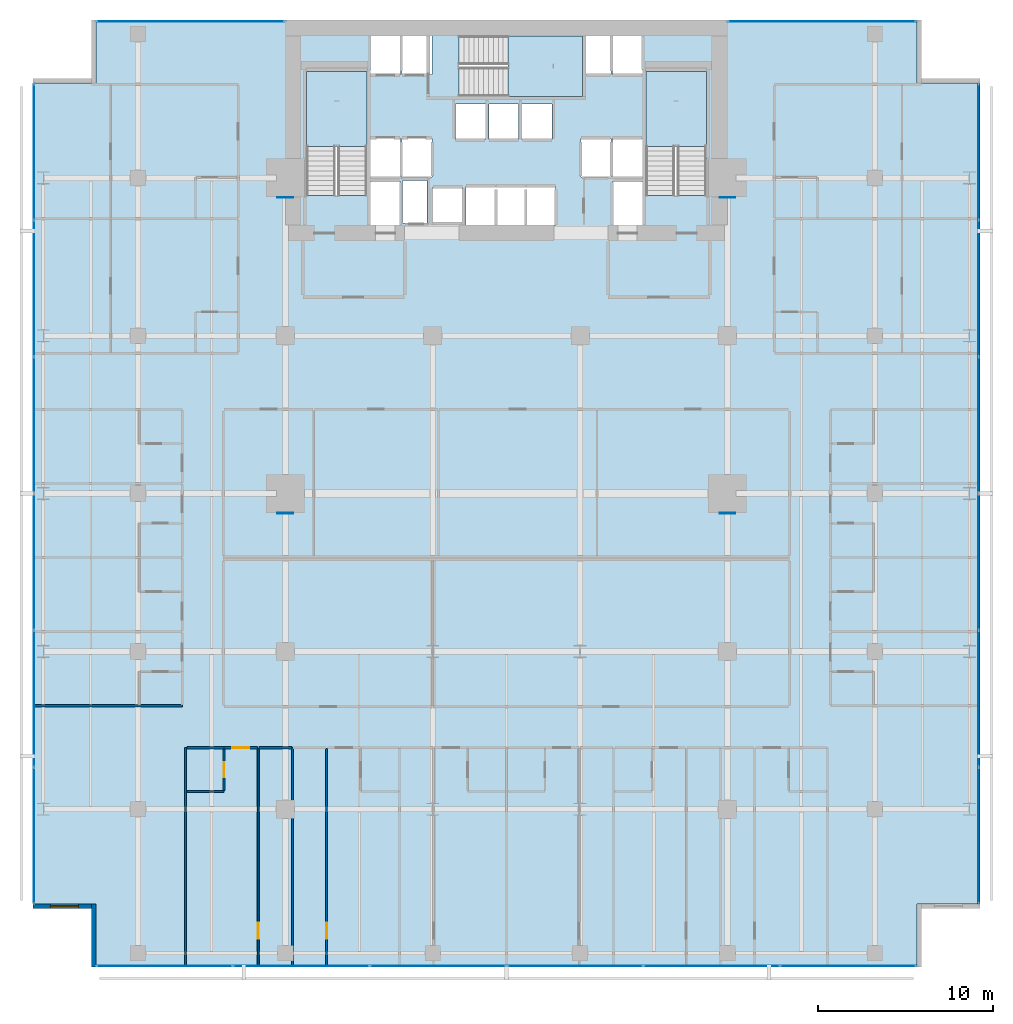
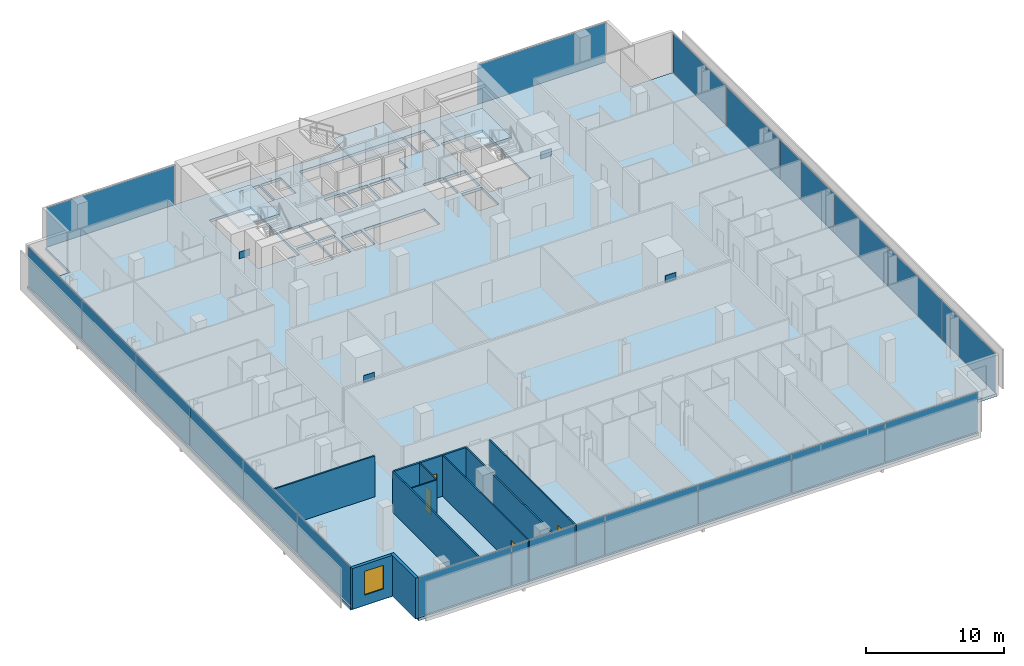
# One storey, part 32 of 40: 24 plates, 12 walls, 4 doors, 4 slabs, 1 window, 5 openings, 8 elements without a shape of their own.
"""IFC4 building model written with IfcOpenShell, lengths in metres."""

from ifc_helpers import new_model, si_unit, direction, frame, frame_2d, origin, origin_2d, place, context, subcontext, project, spatial, polyline, rectangle, outline, extrude, material, layer, layer_set, type_object, element, fill, aggregate, save


model = new_model("IFC4")

# Units and contexts
model_context = context("Model", 3, precision=1e-05, world=origin(), true_north=direction((0.0, 1.0)))
body_context = subcontext(model_context, "Body", "Model", "MODEL_VIEW")
ifc_project = project(units=[si_unit("LENGTHUNIT", "METRE"), si_unit("AREAUNIT", "SQUARE_METRE"), si_unit("VOLUMEUNIT", "CUBIC_METRE"), si_unit("PLANEANGLEUNIT", "RADIAN"), si_unit("MASSUNIT", "GRAM", prefix="KILO")], contexts=[model_context])

# Site, building, storey
site_placement = place(None, origin())
site = spatial("IfcSite", under=ifc_project, at=site_placement, CompositionType="ELEMENT")
building_placement = place(site_placement, origin())
building = spatial("IfcBuilding", under=site, at=building_placement, Name="Maruvema Waterfront Hotel and Observation Tower", CompositionType="ELEMENT")
storey_placement = place(building_placement, frame((0.0, 0.0, 34.64990234375)))
storey = spatial("IfcBuildingStorey", under=building, at=storey_placement, Name="L07", CompositionType="ELEMENT", Elevation=34.64990234375)

# Slab
ifc_material_1 = material(Name="Concrete C50/60", Category="concrete")
ifc_layer_1 = layer(ifc_material_1, 0.239990234375, Name="Reinforced Concrete Floor Slab 240 mm")
ifc_layer_set_1 = layer_set([ifc_layer_1], Name="Concrete C50/60")
slab_type_1 = type_object("IfcSlabType", Name="Reinforced Concrete Floor Slab 240 mm", PredefinedType="FLOOR", material=ifc_layer_set_1)
slab_1_placement = place(storey_placement, frame((0.0, 0.0, -0.239990234375)))
element("IfcSlab", 1, at=slab_1_placement, inside=storey, type_object=slab_type_1, Name="L07 Structural Floor Slab", PredefinedType="FLOOR", context=body_context, shape_type="SweptSolid", body=[
    extrude(outline(polyline([(14.39990234375, 0.0), (61.199951171875, 0.0), (61.199951171875, 3.60009765625), (64.800048828125, 3.60009765625), (64.800048828125, 50.39990234375), (61.199951171875, 50.39990234375), (61.199951171875, 54.0), (14.39990234375, 54.0), (14.39990234375, 50.39990234375), (10.800048828125, 50.39990234375), (10.800048828125, 3.60009765625), (14.39990234375, 3.60009765625), (14.39990234375, 0.0)]), holes=[polyline([(26.39990234375, 44.00048828125), (26.39990234375, 51.050048828125), (29.85009765625, 51.050048828125), (29.85009765625, 44.00048828125), (26.39990234375, 44.00048828125)]), polyline([(30.050048828125, 44.800048828125), (31.75, 44.800048828125), (31.75, 42.320068359375), (30.050048828125, 42.320068359375), (30.050048828125, 44.800048828125)]), polyline([(31.75, 47.25), (31.75, 45.050048828125), (30.050048828125, 45.050048828125), (30.050048828125, 47.25), (31.75, 47.25)]), polyline([(31.75, 53.10009765625), (31.75, 50.89990234375), (30.050048828125, 50.89990234375), (30.050048828125, 53.10009765625), (31.75, 53.10009765625)]), polyline([(33.280029296875, 44.860107421875), (33.280029296875, 42.43994140625), (31.8798828125, 42.43994140625), (31.8798828125, 44.860107421875), (33.280029296875, 44.860107421875)]), polyline([(31.85009765625, 47.25), (33.550048828125, 47.25), (33.550048828125, 45.050048828125), (31.85009765625, 45.050048828125), (31.85009765625, 47.25)]), polyline([(31.85009765625, 53.10009765625), (33.550048828125, 53.10009765625), (33.550048828125, 50.89990234375), (31.85009765625, 50.89990234375), (31.85009765625, 53.10009765625)]), polyline([(33.60009765625, 44.449951171875), (35.300048828125, 44.449951171875), (35.300048828125, 42.449951171875), (33.60009765625, 42.449951171875), (33.60009765625, 44.449951171875)]), polyline([(34.89990234375, 49.199951171875), (36.60009765625, 49.199951171875), (36.60009765625, 47.199951171875), (34.89990234375, 47.199951171875), (34.89990234375, 49.199951171875)]), polyline([(38.5, 49.199951171875), (38.5, 47.199951171875), (36.800048828125, 47.199951171875), (36.800048828125, 49.199951171875), (38.5, 49.199951171875)]), polyline([(35.5, 44.5), (40.60009765625, 44.5), (40.60009765625, 42.300048828125), (35.5, 42.300048828125), (35.5, 44.5)]), polyline([(43.75, 50.89990234375), (42.14990234375, 50.89990234375), (42.14990234375, 49.64990234375), (35.1005859375, 49.64990234375), (35.1005859375, 53.10009765625), (43.75, 53.10009765625), (43.75, 50.89990234375)]), polyline([(40.39990234375, 49.199951171875), (40.39990234375, 47.199951171875), (38.699951171875, 47.199951171875), (38.699951171875, 49.199951171875), (40.39990234375, 49.199951171875)]), polyline([(43.75, 47.25), (43.75, 45.050048828125), (42.050048828125, 45.050048828125), (42.050048828125, 47.25), (43.75, 47.25)]), polyline([(45.550048828125, 44.800048828125), (45.550048828125, 42.320068359375), (43.85009765625, 42.320068359375), (43.85009765625, 44.800048828125), (45.550048828125, 44.800048828125)]), polyline([(43.85009765625, 47.25), (45.550048828125, 47.25), (45.550048828125, 45.050048828125), (43.85009765625, 45.050048828125), (43.85009765625, 47.25)]), polyline([(45.550048828125, 53.10009765625), (45.550048828125, 50.89990234375), (43.85009765625, 50.89990234375), (43.85009765625, 53.10009765625), (45.550048828125, 53.10009765625)]), polyline([(45.75, 51.050048828125), (49.199951171875, 51.050048828125), (49.199951171875, 44.00048828125), (45.75, 44.00048828125), (45.75, 51.050048828125)])]), origin(), (0.0, 0.0, 1.0), 0.239990234375),
])

# Curtain wall, plates
ifc_material_2 = material(Name="Anodised bronze aluminium and solar-control low-E IGU", Category="aluminium")
ifc_layer_2 = layer(ifc_material_2, 0.159912109375, Name="Zone 1 Bronze Inner Thermal Curtain Wall System CW-02")
ifc_layer_set_2 = layer_set([ifc_layer_2], Name="Anodised bronze aluminium and solar-control low-E IGU")
curtain_wall_type = type_object("IfcCurtainWallType", Name="Zone 1 Bronze Inner Thermal Curtain Wall System CW-02", PredefinedType="USERDEFINED", material=ifc_layer_set_2)
curtain_wall_1_placement = place(storey_placement, origin())
curtain_wall_1 = element("IfcCurtainWall", 2, at=curtain_wall_1_placement, inside=storey, type_object=curtain_wall_type, Name="L07 Curtain Wall CW-L07-S", ObjectType="UNITISED CURTAIN WALL", PredefinedType="USERDEFINED")
ifc_material_3 = material(Name="Laminated low-E solar-control double glazing", Category="glass")
ifc_layer_3 = layer(ifc_material_3, 0.035888671875, Name="Solar Control Double-Glazed Curtain Panel 36 mm")
ifc_layer_set_3 = layer_set([ifc_layer_3], Name="Laminated low-E solar-control double glazing")
plate_type_1 = type_object("IfcPlateType", Name="Solar Control Double-Glazed Curtain Panel 36 mm", PredefinedType="CURTAIN_PANEL", material=ifc_layer_set_3)
plate_1_placement = place(storey_placement, frame((18.31494140625, 0.080078125, 0.06005859375), z_axis=(0.0, 0.0, 1.0), x_axis=(1.0, 0.0, 0.0)))
plate_1 = element("IfcPlate", 3, at=plate_1_placement, type_object=plate_type_1, Name="CW-02 panel 1.1", PredefinedType="CURTAIN_PANEL", context=body_context, shape_type="SweptSolid", body=[
    extrude(rectangle(XDim=7.7099609375, YDim=0.028076171875, at=origin_2d()), origin(), (0.0, 0.0, 1.0), 3.489990234375),
])
plate_2_placement = place(storey_placement, frame((26.10009765625, 0.080078125, 0.06005859375), z_axis=(0.0, 0.0, 1.0), x_axis=(1.0, 0.0, 0.0)))
plate_2 = element("IfcPlate", 4, at=plate_2_placement, type_object=plate_type_1, Name="CW-02 panel 2.1", PredefinedType="CURTAIN_PANEL", context=body_context, shape_type="SweptSolid", body=[
    extrude(rectangle(XDim=7.739990234375, YDim=0.028076171875, at=origin_2d()), origin(), (0.0, 0.0, 1.0), 3.489990234375),
])
plate_3_placement = place(storey_placement, frame((33.89990234375, 0.080078125, 0.06005859375), z_axis=(0.0, 0.0, 1.0), x_axis=(1.0, 0.0, 0.0)))
plate_3 = element("IfcPlate", 5, at=plate_3_placement, type_object=plate_type_1, Name="CW-02 panel 3.1", PredefinedType="CURTAIN_PANEL", context=body_context, shape_type="SweptSolid", body=[
    extrude(rectangle(XDim=7.739990234375, YDim=0.028076171875, at=origin_2d()), origin(), (0.0, 0.0, 1.0), 3.489990234375),
])
plate_4_placement = place(storey_placement, frame((41.699951171875, 0.080078125, 0.06005859375), z_axis=(0.0, 0.0, 1.0), x_axis=(1.0, 0.0, 0.0)))
plate_4 = element("IfcPlate", 6, at=plate_4_placement, type_object=plate_type_1, Name="CW-02 panel 4.1", PredefinedType="CURTAIN_PANEL", context=body_context, shape_type="SweptSolid", body=[
    extrude(rectangle(XDim=7.739990234375, YDim=0.028076171875, at=origin_2d()), origin(), (0.0, 0.0, 1.0), 3.489990234375),
])
plate_5_placement = place(storey_placement, frame((49.5, 0.080078125, 0.06005859375), z_axis=(0.0, 0.0, 1.0), x_axis=(1.0, 0.0, 0.0)))
plate_5 = element("IfcPlate", 7, at=plate_5_placement, type_object=plate_type_1, Name="CW-02 panel 5.1", PredefinedType="CURTAIN_PANEL", context=body_context, shape_type="SweptSolid", body=[
    extrude(rectangle(XDim=7.739990234375, YDim=0.028076171875, at=origin_2d()), origin(), (0.0, 0.0, 1.0), 3.489990234375),
])
plate_6_placement = place(storey_placement, frame((57.284912109375, 0.080078125, 0.06005859375), z_axis=(0.0, 0.0, 1.0), x_axis=(1.0, 0.0, 0.0)))
plate_6 = element("IfcPlate", 8, at=plate_6_placement, type_object=plate_type_1, Name="CW-02 panel 6.1", PredefinedType="CURTAIN_PANEL", context=body_context, shape_type="SweptSolid", body=[
    extrude(rectangle(XDim=7.7099609375, YDim=0.028076171875, at=origin_2d()), origin(), (0.0, 0.0, 1.0), 3.489990234375),
])
aggregate(curtain_wall_1, [plate_1, plate_2, plate_3, plate_4, plate_5, plate_6])

curtain_wall_2_placement = place(storey_placement, origin())
curtain_wall_2 = element("IfcCurtainWall", 9, at=curtain_wall_2_placement, inside=storey, type_object=curtain_wall_type, Name="L07 Curtain Wall CW-L07-E", ObjectType="UNITISED CURTAIN WALL", PredefinedType="USERDEFINED")
plate_7_placement = place(storey_placement, frame((64.719970703125, 7.514892578125, 0.06005859375), z_axis=(0.0, 0.0, 1.0), x_axis=(0.0, 1.0, 0.0)))
plate_7 = element("IfcPlate", 10, at=plate_7_placement, type_object=plate_type_1, Name="CW-02 panel 1.1", PredefinedType="CURTAIN_PANEL", context=body_context, shape_type="SweptSolid", body=[
    extrude(rectangle(XDim=7.7099609375, YDim=0.028076171875, at=origin_2d()), origin(), (0.0, 0.0, 1.0), 3.489990234375),
])
plate_8_placement = place(storey_placement, frame((64.719970703125, 15.300048828125, 0.06005859375), z_axis=(0.0, 0.0, 1.0), x_axis=(0.0, 1.0, 0.0)))
plate_8 = element("IfcPlate", 11, at=plate_8_placement, type_object=plate_type_1, Name="CW-02 panel 2.1", PredefinedType="CURTAIN_PANEL", context=body_context, shape_type="SweptSolid", body=[
    extrude(rectangle(XDim=7.739990234375, YDim=0.028076171875, at=origin_2d()), origin(), (0.0, 0.0, 1.0), 3.489990234375),
])
plate_9_placement = place(storey_placement, frame((64.719970703125, 23.10009765625, 0.06005859375), z_axis=(0.0, 0.0, 1.0), x_axis=(0.0, 1.0, 0.0)))
plate_9 = element("IfcPlate", 12, at=plate_9_placement, type_object=plate_type_1, Name="CW-02 panel 3.1", PredefinedType="CURTAIN_PANEL", context=body_context, shape_type="SweptSolid", body=[
    extrude(rectangle(XDim=7.739990234375, YDim=0.028076171875, at=origin_2d()), origin(), (0.0, 0.0, 1.0), 3.489990234375),
])
plate_10_placement = place(storey_placement, frame((64.719970703125, 30.89990234375, 0.06005859375), z_axis=(0.0, 0.0, 1.0), x_axis=(0.0, 1.0, 0.0)))
plate_10 = element("IfcPlate", 13, at=plate_10_placement, type_object=plate_type_1, Name="CW-02 panel 4.1", PredefinedType="CURTAIN_PANEL", context=body_context, shape_type="SweptSolid", body=[
    extrude(rectangle(XDim=7.739990234375, YDim=0.028076171875, at=origin_2d()), origin(), (0.0, 0.0, 1.0), 3.489990234375),
])
plate_11_placement = place(storey_placement, frame((64.719970703125, 38.699951171875, 0.06005859375), z_axis=(0.0, 0.0, 1.0), x_axis=(0.0, 1.0, 0.0)))
plate_11 = element("IfcPlate", 14, at=plate_11_placement, type_object=plate_type_1, Name="CW-02 panel 5.1", PredefinedType="CURTAIN_PANEL", context=body_context, shape_type="SweptSolid", body=[
    extrude(rectangle(XDim=7.739990234375, YDim=0.028076171875, at=origin_2d()), origin(), (0.0, 0.0, 1.0), 3.489990234375),
])
plate_12_placement = place(storey_placement, frame((64.719970703125, 46.485107421875, 0.06005859375), z_axis=(0.0, 0.0, 1.0), x_axis=(0.0, 1.0, 0.0)))
plate_12 = element("IfcPlate", 15, at=plate_12_placement, type_object=plate_type_1, Name="CW-02 panel 6.1", PredefinedType="CURTAIN_PANEL", context=body_context, shape_type="SweptSolid", body=[
    extrude(rectangle(XDim=7.7099609375, YDim=0.028076171875, at=origin_2d()), origin(), (0.0, 0.0, 1.0), 3.489990234375),
])
aggregate(curtain_wall_2, [plate_7, plate_8, plate_9, plate_10, plate_11, plate_12])

curtain_wall_3_placement = place(storey_placement, origin())
curtain_wall_3 = element("IfcCurtainWall", 16, at=curtain_wall_3_placement, inside=storey, type_object=curtain_wall_type, Name="L07 Curtain Wall CW-L07-W", ObjectType="UNITISED CURTAIN WALL", PredefinedType="USERDEFINED")
plate_13_placement = place(storey_placement, frame((10.8798828125, 46.485107421875, 0.06005859375), z_axis=(0.0, 0.0, 1.0), x_axis=(0.0, -1.0, 0.0)))
plate_13 = element("IfcPlate", 17, at=plate_13_placement, type_object=plate_type_1, Name="CW-02 panel 1.1", PredefinedType="CURTAIN_PANEL", context=body_context, shape_type="SweptSolid", body=[
    extrude(rectangle(XDim=7.7099609375, YDim=0.028076171875, at=origin_2d()), origin(), (0.0, 0.0, 1.0), 3.489990234375),
])
plate_14_placement = place(storey_placement, frame((10.8798828125, 38.699951171875, 0.06005859375), z_axis=(0.0, 0.0, 1.0), x_axis=(0.0, -1.0, 0.0)))
plate_14 = element("IfcPlate", 18, at=plate_14_placement, type_object=plate_type_1, Name="CW-02 panel 2.1", PredefinedType="CURTAIN_PANEL", context=body_context, shape_type="SweptSolid", body=[
    extrude(rectangle(XDim=7.739990234375, YDim=0.028076171875, at=origin_2d()), origin(), (0.0, 0.0, 1.0), 3.489990234375),
])
plate_15_placement = place(storey_placement, frame((10.8798828125, 30.89990234375, 0.06005859375), z_axis=(0.0, 0.0, 1.0), x_axis=(0.0, -1.0, 0.0)))
plate_15 = element("IfcPlate", 19, at=plate_15_placement, type_object=plate_type_1, Name="CW-02 panel 3.1", PredefinedType="CURTAIN_PANEL", context=body_context, shape_type="SweptSolid", body=[
    extrude(rectangle(XDim=7.739990234375, YDim=0.028076171875, at=origin_2d()), origin(), (0.0, 0.0, 1.0), 3.489990234375),
])
plate_16_placement = place(storey_placement, frame((10.8798828125, 23.10009765625, 0.06005859375), z_axis=(0.0, 0.0, 1.0), x_axis=(0.0, -1.0, 0.0)))
plate_16 = element("IfcPlate", 20, at=plate_16_placement, type_object=plate_type_1, Name="CW-02 panel 4.1", PredefinedType="CURTAIN_PANEL", context=body_context, shape_type="SweptSolid", body=[
    extrude(rectangle(XDim=7.739990234375, YDim=0.028076171875, at=origin_2d()), origin(), (0.0, 0.0, 1.0), 3.489990234375),
])
plate_17_placement = place(storey_placement, frame((10.8798828125, 15.300048828125, 0.06005859375), z_axis=(0.0, 0.0, 1.0), x_axis=(0.0, -1.0, 0.0)))
plate_17 = element("IfcPlate", 21, at=plate_17_placement, type_object=plate_type_1, Name="CW-02 panel 5.1", PredefinedType="CURTAIN_PANEL", context=body_context, shape_type="SweptSolid", body=[
    extrude(rectangle(XDim=7.739990234375, YDim=0.028076171875, at=origin_2d()), origin(), (0.0, 0.0, 1.0), 3.489990234375),
])
plate_18_placement = place(storey_placement, frame((10.8798828125, 7.514892578125, 0.06005859375), z_axis=(0.0, 0.0, 1.0), x_axis=(0.0, -1.0, 0.0)))
plate_18 = element("IfcPlate", 22, at=plate_18_placement, type_object=plate_type_1, Name="CW-02 panel 6.1", PredefinedType="CURTAIN_PANEL", context=body_context, shape_type="SweptSolid", body=[
    extrude(rectangle(XDim=7.7099609375, YDim=0.028076171875, at=origin_2d()), origin(), (0.0, 0.0, 1.0), 3.489990234375),
])
aggregate(curtain_wall_3, [plate_13, plate_14, plate_15, plate_16, plate_17, plate_18])

# Curtain wall, plate
curtain_wall_4_placement = place(storey_placement, origin())
curtain_wall_4 = element("IfcCurtainWall", 23, at=curtain_wall_4_placement, inside=storey, type_object=curtain_wall_type, Name="L07 Curtain Wall CW-L07-NW", ObjectType="UNITISED CURTAIN WALL", PredefinedType="USERDEFINED")
plate_19_placement = place(storey_placement, frame((19.800048828125, 53.919921875, 0.06005859375), z_axis=(0.0, 0.0, 1.0), x_axis=(-1.0, 0.0, 0.0)))
plate_19 = element("IfcPlate", 24, at=plate_19_placement, type_object=plate_type_1, Name="CW-02 panel 1.1", PredefinedType="CURTAIN_PANEL", context=body_context, shape_type="SweptSolid", body=[
    extrude(rectangle(XDim=10.679931640625, YDim=0.028076171875, at=origin_2d()), origin(), (0.0, 0.0, 1.0), 3.489990234375),
])
aggregate(curtain_wall_4, [plate_19])

curtain_wall_5_placement = place(storey_placement, origin())
curtain_wall_5 = element("IfcCurtainWall", 25, at=curtain_wall_5_placement, inside=storey, type_object=curtain_wall_type, Name="L07 Curtain Wall CW-L07-NE", ObjectType="UNITISED CURTAIN WALL", PredefinedType="USERDEFINED")
plate_20_placement = place(storey_placement, frame((55.800048828125, 53.919921875, 0.06005859375), z_axis=(0.0, 0.0, 1.0), x_axis=(-1.0, 0.0, 0.0)))
plate_20 = element("IfcPlate", 26, at=plate_20_placement, type_object=plate_type_1, Name="CW-02 panel 1.1", PredefinedType="CURTAIN_PANEL", context=body_context, shape_type="SweptSolid", body=[
    extrude(rectangle(XDim=10.679931640625, YDim=0.028076171875, at=origin_2d()), origin(), (0.0, 0.0, 1.0), 3.489990234375),
])
aggregate(curtain_wall_5, [plate_20])

# Stair, slab
ifc_material_4 = material(Name="Concrete C50/60", Category="concrete")
stair_type = type_object("IfcStairType", Name="Dogleg Exit Stair 1650 mm (22R x 175.0 mm)", PredefinedType="HALF_TURN_STAIR", material=ifc_material_4)
stair_1_placement = place(storey_placement, origin())
stair_1 = element("IfcStair", 27, at=stair_1_placement, inside=storey, type_object=stair_type, Name="L07 ST-01", PredefinedType="HALF_TURN_STAIR")
ifc_material_5 = material(Name="Concrete C50/60", Category="concrete")
ifc_layer_4 = layer(ifc_material_5, 0.219970703125, Name="Stair Concrete Landing Slab 220 mm")
ifc_layer_set_4 = layer_set([ifc_layer_4], Name="Concrete C50/60")
slab_type_2 = type_object("IfcSlabType", Name="Stair Concrete Landing Slab 220 mm", PredefinedType="LANDING", material=ifc_layer_set_4)
slab_2_placement = place(storey_placement, frame((0.0, 0.0, 1.705078125)))
slab_2 = element("IfcSlab", 28, at=slab_2_placement, type_object=slab_type_2, Name="ST-01 landing 1", PredefinedType="LANDING", context=body_context, shape_type="SweptSolid", body=[
    extrude(outline(polyline([(29.85009765625, 46.800048828125), (29.85009765625, 51.050048828125), (26.39990234375, 51.050048828125), (26.39990234375, 46.800048828125), (29.85009765625, 46.800048828125)])), origin(), (0.0, 0.0, 1.0), 0.219970703125),
])
aggregate(stair_1, [slab_2])

stair_2_placement = place(storey_placement, origin())
stair_2 = element("IfcStair", 29, at=stair_2_placement, inside=storey, type_object=stair_type, Name="L07 ST-02", PredefinedType="HALF_TURN_STAIR")
slab_3_placement = place(storey_placement, frame((0.0, 0.0, 1.705078125)))
slab_3 = element("IfcSlab", 30, at=slab_3_placement, type_object=slab_type_2, Name="ST-02 landing 1", PredefinedType="LANDING", context=body_context, shape_type="SweptSolid", body=[
    extrude(outline(polyline([(37.89990234375, 49.64990234375), (42.14990234375, 49.64990234375), (42.14990234375, 53.10009765625), (37.89990234375, 53.10009765625), (37.89990234375, 49.64990234375)])), origin(), (0.0, 0.0, 1.0), 0.219970703125),
])
aggregate(stair_2, [slab_3])

stair_3_placement = place(storey_placement, origin())
stair_3 = element("IfcStair", 31, at=stair_3_placement, inside=storey, type_object=stair_type, Name="L07 ST-03", PredefinedType="HALF_TURN_STAIR")
slab_4_placement = place(storey_placement, frame((0.0, 0.0, 1.705078125)))
slab_4 = element("IfcSlab", 32, at=slab_4_placement, type_object=slab_type_2, Name="ST-03 landing 1", PredefinedType="LANDING", context=body_context, shape_type="SweptSolid", body=[
    extrude(outline(polyline([(49.199951171875, 46.800048828125), (49.199951171875, 51.050048828125), (45.75, 51.050048828125), (45.75, 46.800048828125), (49.199951171875, 46.800048828125)])), origin(), (0.0, 0.0, 1.0), 0.219970703125),
])
aggregate(stair_3, [slab_4])

# Plates
ifc_material_6 = material(Name="Steel ABNT NBR 7007 AR 415 (ASTM A572 Grade 50)", Category="steel")
ifc_layer_5 = layer(ifc_material_6, 0.0400390625, Name="Structural Truss Node Gusset Plate 40 mm")
ifc_layer_set_5 = layer_set([ifc_layer_5], Name="Steel ABNT NBR 7007 AR 415 (ASTM A572 Grade 50)")
plate_type_2 = type_object("IfcPlateType", Name="Structural Truss Node Gusset Plate 40 mm", PredefinedType="USERDEFINED", material=ifc_layer_set_5)
for number, where, z_axis, x_axis, name in (
    (33, (25.199951171875, 25.8798828125, 1.5), (0.0, 0.0, 1.0), (1.0, 0.0, 0.0), "L07 MC-01 Moment Frame Continuity Gusset Plate"),
    (34, (50.39990234375, 25.8798828125, 1.5), (0.0, 0.0, 1.0), (1.0, 0.0, 0.0), "L07 MC-02 Moment Frame Continuity Gusset Plate"),
    (35, (25.199951171875, 43.8798828125, 1.5), (0.0, 0.0, 1.0), (1.0, 0.0, 0.0), "L07 MC-03 Moment Frame Continuity Gusset Plate"),
    (36, (50.39990234375, 43.8798828125, 1.5), (0.0, 0.0, 1.0), (1.0, 0.0, 0.0), "L07 MC-04 Moment Frame Continuity Gusset Plate"),
):
    element("IfcPlate", number, at=place(storey_placement, frame(where, z_axis=z_axis, x_axis=x_axis)), inside=storey, type_object=plate_type_2, Name=name, ObjectType="GUSSET_PLATE", PredefinedType="USERDEFINED", context=body_context, shape_type="SweptSolid", body=[
        extrude(rectangle(XDim=0.89990234375, YDim=0.0400390625, at=origin_2d()), origin(), (0.0, 0.0, 1.0), 0.60009765625),
    ])

# Wall
ifc_material_7 = material(Name="Twin-stud acoustic gypsum drywall", Category="gypsum")
ifc_layer_6 = layer(ifc_material_7, 0.14990234375, Name="Acoustic Corridor and Suite Demising Wall 150 mm")
ifc_layer_set_6 = layer_set([ifc_layer_6], Name="Twin-stud acoustic gypsum drywall")
wall_type_1 = type_object("IfcWallType", Name="Acoustic Corridor and Suite Demising Wall 150 mm", PredefinedType="PARTITIONING", material=ifc_layer_set_6)
wall_1_placement = place(storey_placement, frame((19.580078125, 12.52001953125, 0.0), z_axis=(0.0, 0.0, 1.0), x_axis=(1.0, 0.0, 0.0)))
element("IfcWall", 37, at=wall_1_placement, inside=storey, type_object=wall_type_1, Name="L07 Bath L07-S1 Back Wall 030", PredefinedType="PARTITIONING", context=body_context, shape_type="SweptSolid", body=[
    extrude(rectangle(XDim=2.119873046875, YDim=0.14990234375, at=frame_2d((1.06005859375, 0.0))), origin(), (0.0, 0.0, 1.0), 3.610107421875),
])

# Wall, opening, door
wall_2_placement = place(storey_placement, frame((21.699951171875, 12.52001953125, 0.0), z_axis=(0.0, 0.0, 1.0), x_axis=(1.0, 0.0, 0.0)))
wall_2 = element("IfcWall", 38, at=wall_2_placement, inside=storey, type_object=wall_type_1, Name="L07 Unit L07-S1 Corridor Wall 033", PredefinedType="PARTITIONING", context=body_context, shape_type="SweptSolid", body=[
    extrude(rectangle(XDim=1.91015625, YDim=0.14990234375, at=frame_2d((0.955078125, 0.0))), origin(), (0.0, 0.0, 1.0), 3.610107421875),
])
opening_1_placement = place(wall_2_placement, frame((0.47998046875, 0.0, 0.0)))
opening_1 = element("IfcOpeningElement", 39, at=opening_1_placement, cuts=wall_2, Name="Opening DR-095", PredefinedType="OPENING", context=body_context, shape_type="SweptSolid", body=[
    extrude(rectangle(XDim=0.949951171875, YDim=2.14990234375, at=frame_2d((0.47509765625, 1.074951171875))), frame((0.0, 0.0849609375, 0.0), z_axis=(0.0, -1.0, 0.0), x_axis=(1.0, 0.0, 0.0)), (0.0, 0.0, 1.0), 0.169921875),
])
ifc_material_8 = material(Name="Acoustic solid-core hardwood timber leaf", Category="wood")
door_type_1 = type_object("IfcDoorType", Name="Guestroom Entrance Fire Door 950x2150 mm", OperationType="NOTDEFINED", PredefinedType="DOOR", material=ifc_material_8)
door_1_placement = place(opening_1_placement, frame((0.949951171875, 0.0, 0.0), z_axis=(0.0, 0.0, 1.0), x_axis=(-1.0, 0.0, 0.0)))
door_1 = element("IfcDoor", 40, at=door_1_placement, inside=storey, type_object=door_type_1, Name="L07 Unit L07-S1 Entrance Door", OperationType="SINGLE_SWING_RIGHT", OverallHeight=2.14990234375, OverallWidth=0.949951171875, PredefinedType="DOOR", context=body_context, shape_type="SweptSolid", body=[
    extrude(rectangle(XDim=0.949951171875, YDim=2.14990234375, at=frame_2d((0.47509765625, 1.074951171875))), frame((0.0, 0.02490234375, 0.0), z_axis=(0.0, -1.0, 0.0), x_axis=(1.0, 0.0, 0.0)), (0.0, 0.0, 1.0), 0.050048828125),
])
fill(opening_1, door_1)

# Walls
wall_3_placement = place(storey_placement, frame((23.68994140625, 12.52001953125, 0.0), z_axis=(0.0, 0.0, 1.0), x_axis=(1.0, 0.0, 0.0)))
element("IfcWall", 41, at=wall_3_placement, inside=storey, type_object=wall_type_1, Name="L07 Bedroom L07-S1 Back Wall 034", PredefinedType="PARTITIONING", context=body_context, shape_type="SweptSolid", body=[
    extrude(rectangle(XDim=1.89013671875, YDim=0.14990234375, at=frame_2d((0.945068359375, 0.0))), origin(), (0.0, 0.0, 1.0), 3.610107421875),
])
ifc_material_9 = material(Name="Moisture-resistant cement-board drywall", Category="gypsum")
ifc_layer_7 = layer(ifc_material_9, 0.10009765625, Name="En-Suite Moisture-Resistant Partition 100 mm")
ifc_layer_set_7 = layer_set([ifc_layer_7], Name="Moisture-resistant cement-board drywall")
wall_type_2 = type_object("IfcWallType", Name="En-Suite Moisture-Resistant Partition 100 mm", PredefinedType="PARTITIONING", material=ifc_layer_set_7)
wall_4_placement = place(storey_placement, frame((19.580078125, 10.02001953125, 0.0), z_axis=(0.0, 0.0, 1.0), x_axis=(1.0, 0.0, 0.0)))
element("IfcWall", 42, at=wall_4_placement, inside=storey, type_object=wall_type_2, Name="L07 En-Suite L07-S1 South 031", PredefinedType="PARTITIONING", context=body_context, shape_type="SweptSolid", body=[
    extrude(rectangle(XDim=2.119873046875, YDim=0.10009765625, at=frame_2d((1.06005859375, 0.0))), origin(), (0.0, 0.0, 1.0), 3.610107421875),
])

# Wall, opening, door
wall_5_placement = place(storey_placement, frame((21.699951171875, 10.080078125, 0.0), z_axis=(0.0, 0.0, 1.0), x_axis=(0.0, 1.0, 0.0)))
wall_5 = element("IfcWall", 43, at=wall_5_placement, inside=storey, type_object=wall_type_2, Name="L07 En-Suite L07-S1 East 032", PredefinedType="PARTITIONING", context=body_context, shape_type="SweptSolid", body=[
    extrude(rectangle(XDim=2.33984375, YDim=0.10009765625, at=frame_2d((1.169921875, 0.0))), origin(), (0.0, 0.0, 1.0), 3.610107421875),
])
opening_2_placement = place(wall_5_placement, frame((0.7451171875, 0.0, 0.0)))
opening_2 = element("IfcOpeningElement", 44, at=opening_2_placement, cuts=wall_5, Name="Opening DR-085", PredefinedType="OPENING", context=body_context, shape_type="SweptSolid", body=[
    extrude(rectangle(XDim=0.85009765625, YDim=2.10009765625, at=frame_2d((0.425048828125, 1.050048828125))), frame((0.0, 0.06005859375, 0.0), z_axis=(0.0, -1.0, 0.0), x_axis=(1.0, 0.0, 0.0)), (0.0, 0.0, 1.0), 0.1201171875),
])
ifc_material_10 = material(Name="Moisture-resistant solid timber leaf", Category="wood")
door_type_2 = type_object("IfcDoorType", Name="En-Suite Bathroom Door 850x2100 mm", OperationType="NOTDEFINED", PredefinedType="DOOR", material=ifc_material_10)
door_2_placement = place(opening_2_placement, frame((0.85009765625, 0.0, 0.0), z_axis=(0.0, 0.0, 1.0), x_axis=(-1.0, 0.0, 0.0)))
door_2 = element("IfcDoor", 45, at=door_2_placement, inside=storey, type_object=door_type_2, Name="L07 En-Suite L07-S1 Door", OperationType="SINGLE_SWING_LEFT", OverallHeight=2.10009765625, OverallWidth=0.85009765625, PredefinedType="DOOR", context=body_context, shape_type="SweptSolid", body=[
    extrude(rectangle(XDim=0.85009765625, YDim=2.10009765625, at=frame_2d((0.425048828125, 1.050048828125))), frame((0.0, 0.02490234375, 0.0), z_axis=(0.0, -1.0, 0.0), x_axis=(1.0, 0.0, 0.0)), (0.0, 0.0, 1.0), 0.050048828125),
])
fill(opening_2, door_2)

wall_6_placement = place(storey_placement, frame((23.64990234375, 0.030029296875, 0.0), z_axis=(0.0, 0.0, 1.0), x_axis=(0.0, 1.0, 0.0)))
wall_6 = element("IfcWall", 46, at=wall_6_placement, inside=storey, type_object=wall_type_2, Name="L07 Suite L07-S1 Split 035", PredefinedType="PARTITIONING", context=body_context, shape_type="SweptSolid", body=[
    extrude(rectangle(XDim=12.429931640625, YDim=0.10009765625, at=frame_2d((6.21484375, 0.0))), origin(), (0.0, 0.0, 1.0), 3.610107421875),
])
opening_3_placement = place(wall_6_placement, frame((1.60009765625, 0.0, 0.0)))
opening_3 = element("IfcOpeningElement", 47, at=opening_3_placement, cuts=wall_6, Name="Opening DR-090", PredefinedType="OPENING", context=body_context, shape_type="SweptSolid", body=[
    extrude(rectangle(XDim=0.89990234375, YDim=2.10009765625, at=frame_2d((0.449951171875, 1.050048828125))), frame((0.0, 0.06005859375, 0.0), z_axis=(0.0, -1.0, 0.0), x_axis=(1.0, 0.0, 0.0)), (0.0, 0.0, 1.0), 0.1201171875),
])
ifc_material_11 = material(Name="Solid-core lacquered timber leaf", Category="wood")
door_type_3 = type_object("IfcDoorType", Name="Accessible Toilet and Room Door 900x2100 mm", OperationType="NOTDEFINED", PredefinedType="DOOR", material=ifc_material_11)
door_3_placement = place(opening_3_placement, origin())
door_3 = element("IfcDoor", 48, at=door_3_placement, inside=storey, type_object=door_type_3, Name="L07 Suite L07-S1 Bedroom Door", OperationType="SINGLE_SWING_LEFT", OverallHeight=2.10009765625, OverallWidth=0.89990234375, PredefinedType="DOOR", context=body_context, shape_type="SweptSolid", body=[
    extrude(rectangle(XDim=0.89990234375, YDim=2.10009765625, at=frame_2d((0.449951171875, 1.050048828125))), frame((0.0, 0.02490234375, 0.0), z_axis=(0.0, -1.0, 0.0), x_axis=(1.0, 0.0, 0.0)), (0.0, 0.0, 1.0), 0.050048828125),
])
fill(opening_3, door_3)

wall_7_placement = place(storey_placement, frame((27.550048828125, 0.030029296875, 0.0), z_axis=(0.0, 0.0, 1.0), x_axis=(0.0, 1.0, 0.0)))
wall_7 = element("IfcWall", 49, at=wall_7_placement, inside=storey, type_object=wall_type_2, Name="L07 Suite L07-S2 Split 042", PredefinedType="PARTITIONING", context=body_context, shape_type="SweptSolid", body=[
    extrude(rectangle(XDim=12.429931640625, YDim=0.10009765625, at=frame_2d((6.21484375, 0.0))), origin(), (0.0, 0.0, 1.0), 3.610107421875),
])
opening_4_placement = place(wall_7_placement, frame((1.60009765625, 0.0, 0.0)))
opening_4 = element("IfcOpeningElement", 50, at=opening_4_placement, cuts=wall_7, Name="Opening DR-090", PredefinedType="OPENING", context=body_context, shape_type="SweptSolid", body=[
    extrude(rectangle(XDim=0.89990234375, YDim=2.10009765625, at=frame_2d((0.449951171875, 1.050048828125))), frame((0.0, 0.06005859375, 0.0), z_axis=(0.0, -1.0, 0.0), x_axis=(1.0, 0.0, 0.0)), (0.0, 0.0, 1.0), 0.1201171875),
])
door_4_placement = place(opening_4_placement, frame((0.89990234375, 0.0, 0.0), z_axis=(0.0, 0.0, 1.0), x_axis=(-1.0, 0.0, 0.0)))
door_4 = element("IfcDoor", 51, at=door_4_placement, inside=storey, type_object=door_type_3, Name="L07 Suite L07-S2 Bedroom Door", OperationType="SINGLE_SWING_RIGHT", OverallHeight=2.10009765625, OverallWidth=0.89990234375, PredefinedType="DOOR", context=body_context, shape_type="SweptSolid", body=[
    extrude(rectangle(XDim=0.89990234375, YDim=2.10009765625, at=frame_2d((0.449951171875, 1.050048828125))), frame((0.0, 0.02490234375, 0.0), z_axis=(0.0, -1.0, 0.0), x_axis=(1.0, 0.0, 0.0)), (0.0, 0.0, 1.0), 0.050048828125),
])
fill(opening_4, door_4)

# Wall
ifc_material_12 = material(Name="Precast concrete C45/55 with honed Pernambuco granite facing", Category="masonry")
ifc_layer_8 = layer(ifc_material_12, 0.260009765625, Name="Exterior Granite Clad Spandrel and Pier Wall 260 mm")
ifc_layer_set_8 = layer_set([ifc_layer_8], Name="Precast concrete C45/55 with honed Pernambuco granite facing")
wall_type_3 = type_object("IfcWallType", Name="Exterior Granite Clad Spandrel and Pier Wall 260 mm", PredefinedType="SOLIDWALL", material=ifc_layer_set_8)
wall_8_placement = place(storey_placement, frame((14.27001953125, 0.0, 0.0), z_axis=(0.0, 0.0, 1.0), x_axis=(0.0, 1.0, 0.0)))
element("IfcWall", 52, at=wall_8_placement, inside=storey, type_object=wall_type_3, Name="L07 Corner Notch Granite Pier Wall SW1", PredefinedType="SOLIDWALL", context=body_context, shape_type="SweptSolid", body=[
    extrude(rectangle(XDim=3.60009765625, YDim=0.260009765625, at=frame_2d((1.800048828125, 0.0))), origin(), (0.0, 0.0, 1.0), 3.610107421875),
])

# Wall, opening, window
wall_9_placement = place(storey_placement, frame((14.39990234375, 3.469970703125, 0.0), z_axis=(0.0, 0.0, 1.0), x_axis=(-1.0, 0.0, 0.0)))
wall_9 = element("IfcWall", 53, at=wall_9_placement, inside=storey, type_object=wall_type_3, Name="L07 Corner Notch Granite Pier Wall SW2", PredefinedType="SOLIDWALL", context=body_context, shape_type="SweptSolid", body=[
    extrude(rectangle(XDim=3.599853515625, YDim=0.260009765625, at=frame_2d((1.7998046875, 0.0))), origin(), (0.0, 0.0, 1.0), 3.610107421875),
])
opening_5_placement = place(wall_9_placement, frame((1.0, 0.0, 0.89990234375)))
opening_5 = element("IfcOpeningElement", 54, at=opening_5_placement, cuts=wall_9, Name="Opening WN-01", PredefinedType="OPENING", context=body_context, shape_type="SweptSolid", body=[
    extrude(rectangle(XDim=1.60009765625, YDim=2.10009765625, at=frame_2d((0.800048828125, 1.050048828125))), frame((0.0, 0.14013671875, 0.0), z_axis=(0.0, -1.0, 0.0), x_axis=(1.0, 0.0, 0.0)), (0.0, 0.0, 1.0), 0.280029296875),
])
ifc_material_13 = material(Name="Anodised bronze aluminium frame with laminated low-E glass", Category="aluminium")
window_type = type_object("IfcWindowType", Name="Corner Notch Feature Window 1600x2100 mm", PartitioningType="SINGLE_PANEL", PredefinedType="WINDOW", material=ifc_material_13)
window_placement = place(opening_5_placement, origin())
window = element("IfcWindow", 55, at=window_placement, inside=storey, type_object=window_type, Name="L07 Corner Notch Punched Window SW2", OverallHeight=2.10009765625, OverallWidth=1.60009765625, PartitioningType="SINGLE_PANEL", PredefinedType="WINDOW", context=body_context, shape_type="SweptSolid", body=[
    extrude(rectangle(XDim=1.60009765625, YDim=2.10009765625, at=frame_2d((0.800048828125, 1.050048828125))), frame((0.0, 0.030029296875, 0.0), z_axis=(0.0, -1.0, 0.0), x_axis=(1.0, 0.0, 0.0)), (0.0, 0.0, 1.0), 0.06005859375),
])
fill(opening_5, window)

# Walls
ifc_material_14 = material(Name="Acoustic gypsum plasterboard drywall", Category="gypsum")
ifc_layer_9 = layer(ifc_material_14, 0.125, Name="Guestroom Acoustic Demising Wall 125 mm")
ifc_layer_set_9 = layer_set([ifc_layer_9], Name="Acoustic gypsum plasterboard drywall")
wall_type_4 = type_object("IfcWallType", Name="Guestroom Acoustic Demising Wall 125 mm", PredefinedType="PARTITIONING", material=ifc_layer_set_9)
for number, where, z_axis, x_axis, name in (
    (56, (19.5, 0.10009765625, 0.0), (0.0, 0.0, 1.0), (0.0, 1.0, 0.0), "L07 S West End 028"),
    (57, (25.60009765625, 0.10009765625, 0.0), (0.0, 0.0, 1.0), (0.0, 1.0, 0.0), "L07 S Demising 2 036"),
):
    element("IfcWall", number, at=place(storey_placement, frame(where, z_axis=z_axis, x_axis=x_axis)), inside=storey, type_object=wall_type_4, Name=name, PredefinedType="PARTITIONING", context=body_context, shape_type="SweptSolid", body=[
        extrude(rectangle(XDim=12.419921875, YDim=0.125, at=frame_2d((6.2099609375, 0.0))), origin(), (0.0, 0.0, 1.0), 3.610107421875),
    ])
wall_10_placement = place(storey_placement, frame((10.89990234375, 14.89990234375, 0.0), z_axis=(0.0, 0.0, 1.0), x_axis=(1.0, 0.0, 0.0)))
element("IfcWall", 58, at=wall_10_placement, inside=storey, type_object=wall_type_4, Name="L07 W Bot End 071", PredefinedType="PARTITIONING", context=body_context, shape_type="SweptSolid", body=[
    extrude(rectangle(XDim=8.420166015625, YDim=0.125, at=frame_2d((4.2099609375, 0.0))), origin(), (0.0, 0.0, 1.0), 3.610107421875),
])

save(model, "model.ifc")
